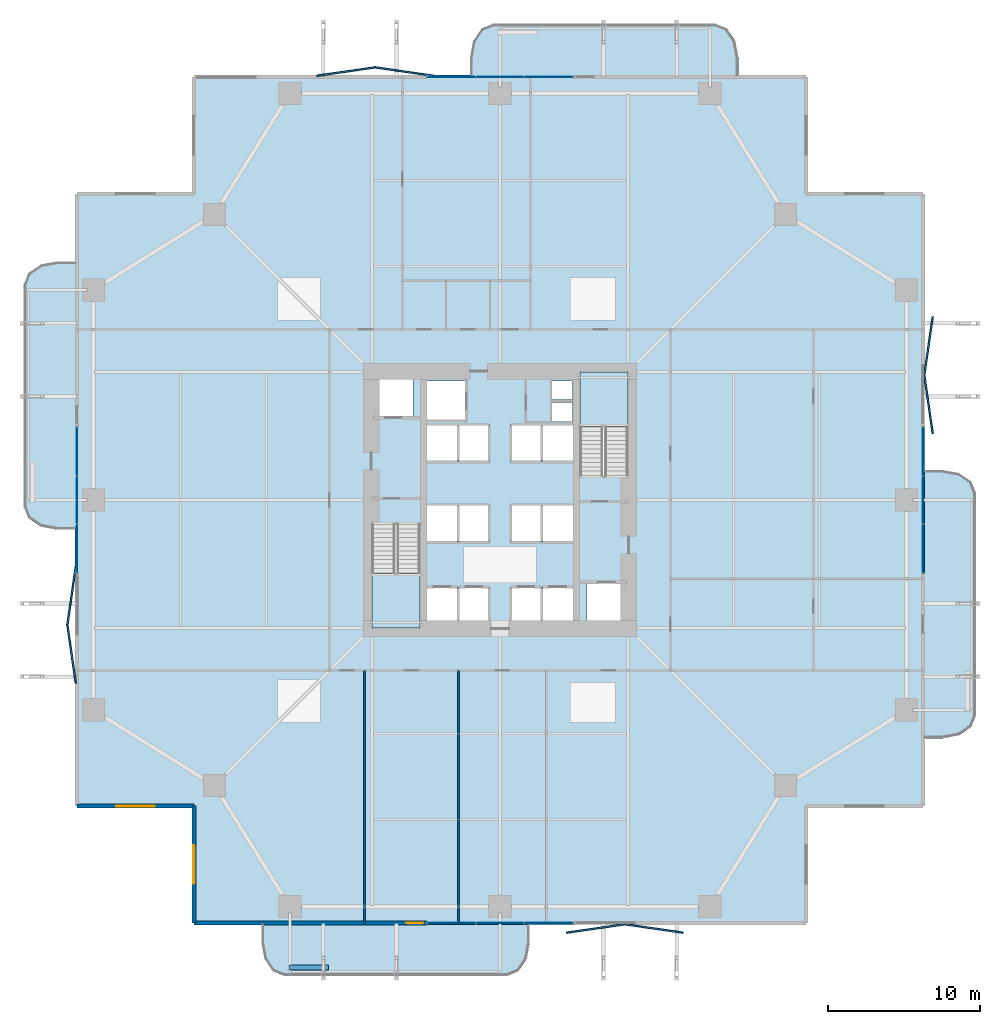
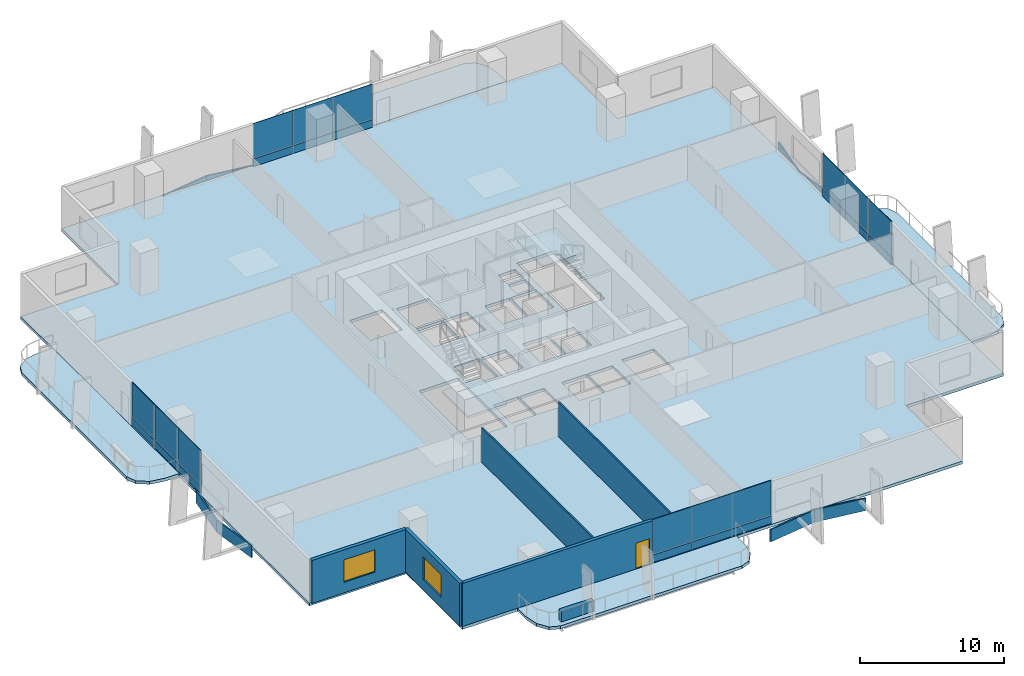
# One storey, part 16 of 23: 32 plates, 7 slabs, 6 walls, 2 windows, 1 door, 3 openings, 6 elements without a shape of their own.
"""IFC4 building model written with IfcOpenShell, lengths in metres."""

import ifcopenshell
import ifcopenshell.guid

model = None  # the IFC model being written
_history = None  # IfcOwnerHistory: only IFC2X3 demands one
_inside = {}  # id of a spatial element -> (the spatial element, [elements in it])
_under = {}  # id of a project, library or spatial element -> (it, [spatial elements below it])
_declared = {}  # id of a project -> (the project, [libraries it declares])
_typed = {}  # id of a type object -> (the type object, [elements of that type])
_made_of = {}  # id of a material, layer set ... -> (it, [elements and type objects made of it])


def new_model(schema):
    """Start an empty IFC model of exactly this schema.

    Asked for "IFC4X3", IfcOpenShell would pick the latest addendum, in which some entities
    have other attributes; the version numbers below select the first issue.
    IFC2X3 requires an IfcOwnerHistory on every rooted entity: one is made here for all.
    """
    global model, _history
    if schema == "IFC4X3":
        model = ifcopenshell.file(schema_version=(4, 3, 0, 0))
    else:
        model = ifcopenshell.file(schema=schema)
    _inside.clear()
    _under.clear()
    _declared.clear()
    _typed.clear()
    _made_of.clear()
    _history = None
    if model.schema == "IFC2X3":
        org = make("IfcOrganization", Name="unknown")
        user = make(
            "IfcPersonAndOrganization",
            ThePerson=make("IfcPerson", FamilyName="unknown"),
            TheOrganization=org,
        )
        app = make(
            "IfcApplication",
            ApplicationDeveloper=org,
            Version="unknown",
            ApplicationFullName="unknown",
            ApplicationIdentifier="unknown",
        )
        _history = make(
            "IfcOwnerHistory",
            OwningUser=user,
            OwningApplication=app,
            ChangeAction="ADDED",
            CreationDate=0,
        )
    return model


def make(cls, **values):
    """One entity of the class cls with the attributes given. An attribute that is None is left unset."""
    return model.create_entity(
        cls, **{name: value for name, value in values.items() if value is not None}
    )


def rooted(cls, **values):
    """An entity with a GlobalId (a new one), such as an element, a storey or a relation."""
    return make(cls, GlobalId=ifcopenshell.guid.new(), OwnerHistory=_history, **values)


def si_unit(unit_type, name, prefix=None):
    """IfcSIUnit, for example si_unit("LENGTHUNIT", "METRE", prefix="MILLI")."""
    return make("IfcSIUnit", UnitType=unit_type, Prefix=prefix, Name=name)


def assignment(units):
    """IfcUnitAssignment: the units of a project."""
    return None if units is None else make("IfcUnitAssignment", Units=units)


def point(xyz):
    """IfcCartesianPoint."""
    return None if xyz is None else make("IfcCartesianPoint", Coordinates=xyz)


def direction(xyz):
    """IfcDirection."""
    return None if xyz is None else make("IfcDirection", DirectionRatios=xyz)


def frame(location, z_axis=None, x_axis=None):
    """IfcAxis2Placement3D, a coordinate frame: its origin and axes. An axis left out is left unset."""
    return make(
        "IfcAxis2Placement3D",
        Location=point(location),
        Axis=direction(z_axis),
        RefDirection=direction(x_axis),
    )


def frame_2d(location, x_axis=None):
    """IfcAxis2Placement2D, a coordinate frame in the plane: its origin and x axis."""
    return make(
        "IfcAxis2Placement2D", Location=point(location), RefDirection=direction(x_axis)
    )


def origin():
    """The frame at (0, 0, 0) with its axes left unset."""
    return frame((0.0, 0.0, 0.0))


def origin_2d():
    """The frame at (0, 0) in the plane with its x axis left unset."""
    return frame_2d((0.0, 0.0))


def place(relative_to, where):
    """IfcLocalPlacement: puts the frame where relative to a parent placement (None: the world)."""
    return make(
        "IfcLocalPlacement", PlacementRelTo=relative_to, RelativePlacement=where
    )


def context(
    kind, dimensions, precision=None, world=None, true_north=None, identifier=None
):
    """IfcGeometricRepresentationContext, for example the 3D "Model" context."""
    return make(
        "IfcGeometricRepresentationContext",
        ContextIdentifier=identifier,
        ContextType=kind,
        CoordinateSpaceDimension=dimensions,
        Precision=precision,
        WorldCoordinateSystem=world,
        TrueNorth=true_north,
    )


def subcontext(parent, identifier, kind, view, scale=None):
    """IfcGeometricRepresentationSubContext, for example "Body" below "Model"."""
    return make(
        "IfcGeometricRepresentationSubContext",
        ContextIdentifier=identifier,
        ContextType=kind,
        ParentContext=parent,
        TargetScale=scale,
        TargetView=view,
    )


def project(units=None, contexts=None):
    """IfcProject with its units and contexts."""
    return rooted(
        "IfcProject",
        Name="project",
        RepresentationContexts=contexts,
        UnitsInContext=assignment(units),
    )


def spatial(cls, under=None, at=None, **own):
    """A site, building, storey or space (cls), placed at a placement, below another one or the project."""
    s = rooted(cls, ObjectPlacement=at, **own)
    if under is not None:
        _under.setdefault(under.id(), (under, []))[1].append(s)
    return s


def polyline(points):
    """IfcPolyline through the points."""
    return make("IfcPolyline", Points=[point(p) for p in points])


def profile(cls, at=None, kind="AREA", **sizes):
    """A parametric profile (cls). Its sizes go by their IFC names, for example OverallWidth=200.0."""
    return make(cls, ProfileType=kind, Position=at, **sizes)


def rectangle(**sizes):
    """IfcRectangleProfileDef."""
    return profile("IfcRectangleProfileDef", **sizes)


def outline(outer, holes=None, kind="AREA"):
    """IfcArbitraryClosedProfileDef: a profile drawn as a closed curve; with holes, ...WithVoids."""
    if holes is None:
        return make("IfcArbitraryClosedProfileDef", ProfileType=kind, OuterCurve=outer)
    return make(
        "IfcArbitraryProfileDefWithVoids",
        ProfileType=kind,
        OuterCurve=outer,
        InnerCurves=holes,
    )


def extrude(swept, where, along, depth):
    """IfcExtrudedAreaSolid: the profile swept, set in the frame where, extruded along a direction by depth."""
    return make(
        "IfcExtrudedAreaSolid",
        SweptArea=swept,
        Position=where,
        ExtrudedDirection=direction(along),
        Depth=depth,
    )


def shape(context_of_items, identifier, shape_type, items):
    """IfcShapeRepresentation: the items that make up one representation, for example the "Body"."""
    return make(
        "IfcShapeRepresentation",
        ContextOfItems=context_of_items,
        RepresentationIdentifier=identifier,
        RepresentationType=shape_type,
        Items=items,
    )


def material(Name=None, Category=None):
    """IfcMaterial."""
    return make("IfcMaterial", Name=Name, Category=Category)


def layer(
    of_material, thickness, ventilated=None, Name=None, Category=None, Priority=None
):
    """IfcMaterialLayer: one layer of a wall or slab, of a material (None: an air gap)."""
    return make(
        "IfcMaterialLayer",
        Material=of_material,
        LayerThickness=thickness,
        IsVentilated=ventilated,
        Name=Name,
        Category=Category,
        Priority=Priority,
    )


def layer_set(layers, Name=None):
    """IfcMaterialLayerSet."""
    return make("IfcMaterialLayerSet", MaterialLayers=layers, LayerSetName=Name)


def made_of(thing, what):
    """Note that an element or type object is made of a material, layer set ...; save() writes the relation."""
    if what is not None:
        _made_of.setdefault(what.id(), (what, []))[1].append(thing)
    return thing


def type_object(cls, material=None, **own):
    """A type object (cls), such as IfcWallType, which elements share."""
    return made_of(rooted(cls, **own), material)


def element(
    cls,
    number,
    at=None,
    inside=None,
    cuts=None,
    type_object=None,
    material=None,
    context=None,
    identifier="Body",
    shape_type=None,
    held_by="IfcProductDefinitionShape",
    body=None,
    shapes=None,
    **own,
):
    """One element of the class cls, such as IfcWall. Its Tag is "e" and its number.

    at: its placement. inside: the storey or other place that contains it. cuts: it is an
    opening in that element (IfcRelVoidsElement). A single representation is given by context,
    identifier, shape_type and body (its items); several are given by shapes. held_by: the class
    of the entity that holds the representations. save() writes the other relations.
    """
    e = rooted(cls, Tag="e%d" % number, ObjectPlacement=at, **own)
    if body is not None:
        shapes = [shape(context, identifier, shape_type, body)]
    if shapes is not None:
        e.Representation = make(held_by, Representations=shapes)
    if inside is not None:
        _inside.setdefault(inside.id(), (inside, []))[1].append(e)
    if cuts is not None:
        rooted(
            "IfcRelVoidsElement", RelatingBuildingElement=cuts, RelatedOpeningElement=e
        )
    if type_object is not None:
        _typed.setdefault(type_object.id(), (type_object, []))[1].append(e)
    return made_of(e, material)


def fill(opening, filler):
    """IfcRelFillsElement: the door or window that sits in an opening."""
    return rooted(
        "IfcRelFillsElement",
        RelatingOpeningElement=opening,
        RelatedBuildingElement=filler,
    )


def aggregate(whole, parts):
    """IfcRelAggregates: a whole, such as a stair, and the parts it consists of."""
    return rooted("IfcRelAggregates", RelatingObject=whole, RelatedObjects=parts)


def save(model, path):
    """Write the relations noted so far, then the file.

    IfcRelAggregates (storeys below a building ...), IfcRelContainedInSpatialStructure (elements
    in a storey), IfcRelDefinesByType, IfcRelAssociatesMaterial and IfcRelDeclares: one each for
    every whole, place, type object, material and project.
    """
    for whole, parts in _under.values():
        aggregate(whole, parts)
    for where, things in _inside.values():
        rooted(
            "IfcRelContainedInSpatialStructure",
            RelatedElements=things,
            RelatingStructure=where,
        )
    for kind, things in _typed.values():
        rooted("IfcRelDefinesByType", RelatedObjects=things, RelatingType=kind)
    for what, things in _made_of.values():
        rooted("IfcRelAssociatesMaterial", RelatedObjects=things, RelatingMaterial=what)
    for by, libraries in _declared.values():
        rooted("IfcRelDeclares", RelatingContext=by, RelatedDefinitions=libraries)
    model.write(path)


model = new_model("IFC4")

# Units and contexts
model_context = context("Model", 3, precision=1e-05, world=origin(), true_north=direction((0.0, 1.0)))
body_context = subcontext(model_context, "Body", "Model", "MODEL_VIEW")
ifc_project = project(units=[si_unit("LENGTHUNIT", "METRE"), si_unit("AREAUNIT", "SQUARE_METRE"), si_unit("VOLUMEUNIT", "CUBIC_METRE"), si_unit("PLANEANGLEUNIT", "RADIAN"), si_unit("MASSUNIT", "GRAM", prefix="KILO")], contexts=[model_context])

# Site, building, storey
site_placement = place(None, origin())
site = spatial("IfcSite", under=ifc_project, at=site_placement, CompositionType="ELEMENT")
building_placement = place(site_placement, origin())
building = spatial("IfcBuilding", under=site, at=building_placement, Name="Belovzor Exchange Tower", CompositionType="ELEMENT")
storey_placement = place(building_placement, frame((0.0, 0.0, 41.699951171875)))
storey = spatial("IfcBuildingStorey", under=building, at=storey_placement, Name="L09", CompositionType="ELEMENT", Elevation=41.699951171875)

# Slab
ifc_material_1 = material(Name="Concrete C40/50", Category="concrete")
ifc_layer_1 = layer(ifc_material_1, 0.25)
ifc_layer_set_1 = layer_set([ifc_layer_1], Name="Concrete C40/50")
slab_type_1 = type_object("IfcSlabType", Name="Composite Concrete Floor Deck Slab 250", PredefinedType="FLOOR", material=ifc_layer_set_1)
slab_1_placement = place(storey_placement, frame((0.0, 0.0, -0.25)))
element("IfcSlab", 1, at=slab_1_placement, inside=storey, type_object=slab_type_1, Name="SL-F250 Structural Slab L09", PredefinedType="FLOOR", context=body_context, shape_type="SweptSolid", body=[
    extrude(outline(polyline([(8.699951171875, 0.89990234375), (48.89990234375, 0.89990234375), (48.89990234375, 8.699951171875), (56.699951171875, 8.699951171875), (56.699951171875, 48.89990234375), (48.89990234375, 48.89990234375), (48.89990234375, 56.699951171875), (8.699951171875, 56.699951171875), (8.699951171875, 48.89990234375), (0.89990234375, 48.89990234375), (0.89990234375, 8.699951171875), (8.699951171875, 8.699951171875), (8.699951171875, 0.89990234375)]), holes=[polyline([(20.39990234375, 27.175048828125), (20.39990234375, 20.39990234375), (23.550048828125, 20.39990234375), (23.550048828125, 27.175048828125), (20.39990234375, 27.175048828125)]), polyline([(37.199951171875, 30.425048828125), (37.199951171875, 37.199951171875), (34.050048828125, 37.199951171875), (34.050048828125, 30.425048828125), (37.199951171875, 30.425048828125)]), polyline([(20.5, 34.199951171875), (23.10009765625, 34.199951171875), (23.10009765625, 37.0), (20.5, 37.0), (20.5, 34.199951171875)]), polyline([(34.5, 20.60009765625), (37.10009765625, 20.60009765625), (37.10009765625, 23.39990234375), (34.5, 23.39990234375), (34.5, 20.60009765625)]), polyline([(24.0, 34.0), (26.60009765625, 34.0), (26.60009765625, 36.60009765625), (24.0, 36.60009765625), (24.0, 34.0)]), polyline([(24.0, 20.60009765625), (26.0, 20.60009765625), (26.0, 23.10009765625), (24.0, 23.10009765625), (24.0, 20.60009765625)]), polyline([(26.10009765625, 20.60009765625), (28.10009765625, 20.60009765625), (28.10009765625, 23.10009765625), (26.10009765625, 23.10009765625), (26.10009765625, 20.60009765625)]), polyline([(29.5, 20.60009765625), (31.5, 20.60009765625), (31.5, 23.10009765625), (29.5, 23.10009765625), (29.5, 20.60009765625)]), polyline([(31.60009765625, 20.60009765625), (33.60009765625, 20.60009765625), (33.60009765625, 23.10009765625), (31.60009765625, 23.10009765625), (31.60009765625, 20.60009765625)]), polyline([(24.0, 26.0), (26.0, 26.0), (26.0, 28.5), (24.0, 28.5), (24.0, 26.0)]), polyline([(26.10009765625, 26.0), (28.10009765625, 26.0), (28.10009765625, 28.5), (26.10009765625, 28.5), (26.10009765625, 26.0)]), polyline([(29.5, 26.0), (31.5, 26.0), (31.5, 28.5), (29.5, 28.5), (29.5, 26.0)]), polyline([(31.60009765625, 26.0), (33.60009765625, 26.0), (33.60009765625, 28.5), (31.60009765625, 28.5), (31.60009765625, 26.0)]), polyline([(24.0, 31.300048828125), (26.0, 31.300048828125), (26.0, 33.800048828125), (24.0, 33.800048828125), (24.0, 31.300048828125)]), polyline([(26.10009765625, 31.300048828125), (28.10009765625, 31.300048828125), (28.10009765625, 33.800048828125), (26.10009765625, 33.800048828125), (26.10009765625, 31.300048828125)]), polyline([(29.5, 31.300048828125), (31.5, 31.300048828125), (31.5, 33.800048828125), (29.5, 33.800048828125), (29.5, 31.300048828125)]), polyline([(31.60009765625, 31.300048828125), (33.60009765625, 31.300048828125), (33.60009765625, 33.800048828125), (31.60009765625, 33.800048828125), (31.60009765625, 31.300048828125)]), polyline([(32.199951171875, 34.0), (33.550048828125, 34.0), (33.550048828125, 35.199951171875), (32.199951171875, 35.199951171875), (32.199951171875, 34.0)]), polyline([(32.199951171875, 35.39990234375), (33.550048828125, 35.39990234375), (33.550048828125, 36.60009765625), (32.199951171875, 36.60009765625), (32.199951171875, 35.39990234375)])]), origin(), (0.0, 0.0, 1.0), 0.25),
])

# Plates
ifc_material_2 = material(Name="Extruded Architectural Terracotta", Category="masonry")
ifc_layer_2 = layer(ifc_material_2, 0.1201171875)
ifc_layer_set_2 = layer_set([ifc_layer_2], Name="Extruded Architectural Terracotta")
plate_type_1 = type_object("IfcPlateType", Name="Folded Zigzag Terracotta Spandrel Louvre 80", PredefinedType="USERDEFINED", material=ifc_layer_set_2)
for number, where, z_axis, x_axis, name in (
    (2, (18.699951171875, 56.93505859375, -1.03515625), (0.0, 0.0, 1.0), (0.989686419138, 0.143250800258, 0.0), "LVR-ZZ1 Zigzag Terracotta Spandrel Louvre L09 N1A"),
    (3, (22.5, 56.93505859375, -1.03515625), (0.0, 0.0, 1.0), (0.989686419138, -0.143250800258, 0.0), "LVR-ZZ1 Zigzag Terracotta Spandrel Louvre L09 N1B"),
    (4, (0.6650390625, 18.699951171875, -1.03515625), (0.0, 0.0, 1.0), (-0.143250800258, 0.989686419138, 0.0), "LVR-ZZ1 Zigzag Terracotta Spandrel Louvre L09 W1A"),
    (5, (0.6650390625, 22.5, -1.03515625), (0.0, 0.0, 1.0), (0.143250800258, 0.989686419138, 0.0), "LVR-ZZ1 Zigzag Terracotta Spandrel Louvre L09 W1B"),
    (6, (35.10009765625, 0.6650390625, -1.03515625), (0.0, 0.0, 1.0), (0.989686419138, 0.143250800258, 0.0), "LVR-ZZ1 Zigzag Terracotta Spandrel Louvre L09 S2A"),
    (7, (38.89990234375, 0.6650390625, -1.03515625), (0.0, 0.0, 1.0), (0.989686419138, -0.143250800258, 0.0), "LVR-ZZ1 Zigzag Terracotta Spandrel Louvre L09 S2B"),
    (8, (56.93505859375, 35.10009765625, -1.03515625), (0.0, 0.0, 1.0), (-0.143250800258, 0.989686419138, 0.0), "LVR-ZZ1 Zigzag Terracotta Spandrel Louvre L09 E2A"),
    (9, (56.93505859375, 38.89990234375, -1.03515625), (0.0, 0.0, 1.0), (0.143250800258, 0.989686419138, 0.0), "LVR-ZZ1 Zigzag Terracotta Spandrel Louvre L09 E2B"),
):
    element("IfcPlate", number, at=place(storey_placement, frame(where, z_axis=z_axis, x_axis=x_axis)), inside=storey, type_object=plate_type_1, Name=name, ObjectType="SPANDREL_LOUVRE", PredefinedType="USERDEFINED", context=body_context, shape_type="SweptSolid", body=[
        extrude(rectangle(XDim=3.919921875, YDim=0.1201171875, at=origin_2d()), origin(), (0.0, 0.0, 1.0), 1.050048828125),
    ])

# Curtain wall, plates
ifc_material_3 = material(Name="Anodised Aluminium Framing", Category="aluminium")
ifc_layer_3 = layer(ifc_material_3, 0.179931640625)
ifc_layer_set_3 = layer_set([ifc_layer_3], Name="Anodised Aluminium Framing")
curtain_wall_type = type_object("IfcCurtainWallType", Name="Recessed Loggia Low-Iron Triple-Glazed Curtain Wall", PredefinedType="NOTDEFINED", material=ifc_layer_set_3)
curtain_wall_1_placement = place(storey_placement, origin())
curtain_wall_1 = element("IfcCurtainWall", 10, at=curtain_wall_1_placement, inside=storey, type_object=curtain_wall_type, Name="CW3 Recessed Loggia Low-Iron Triple-Glazed Curtain Wall L09", PredefinedType="NOTDEFINED")
ifc_material_4 = material(Name="Solar-Control Triple Glazing", Category="glass")
ifc_layer_4 = layer(ifc_material_4, 0.0439453125)
ifc_layer_set_4 = layer_set([ifc_layer_4], Name="Solar-Control Triple Glazing")
plate_type_2 = type_object("IfcPlateType", Name="Insulated Solar Glazing Curtain Panel 44", PredefinedType="CURTAIN_PANEL", material=ifc_layer_set_4)
plate_1_placement = place(storey_placement, frame((32.0, 1.030029296875, 0.652099609375), z_axis=(0.0, 0.0, 1.0), x_axis=(-1.0, 0.0, 0.0)))
plate_1 = element("IfcPlate", 11, at=plate_1_placement, type_object=plate_type_2, Name="GLZ-44 Glazed Curtain Panel 1", PredefinedType="CURTAIN_PANEL", context=body_context, shape_type="SweptSolid", body=[
    extrude(rectangle(XDim=3.18408203125, YDim=0.0439453125, at=origin_2d()), origin(), (0.0, 0.0, 1.0), 2.998046875),
])
plate_2_placement = place(storey_placement, frame((28.800048828125, 1.030029296875, 0.652099609375), z_axis=(0.0, 0.0, 1.0), x_axis=(-1.0, 0.0, 0.0)))
plate_2 = element("IfcPlate", 12, at=plate_2_placement, type_object=plate_type_2, Name="GLZ-44 Glazed Curtain Panel 2", PredefinedType="CURTAIN_PANEL", context=body_context, shape_type="SweptSolid", body=[
    extrude(rectangle(XDim=3.18408203125, YDim=0.0439453125, at=origin_2d()), origin(), (0.0, 0.0, 1.0), 2.998046875),
])
plate_3_placement = place(storey_placement, frame((25.60009765625, 1.030029296875, 0.652099609375), z_axis=(0.0, 0.0, 1.0), x_axis=(-1.0, 0.0, 0.0)))
plate_3 = element("IfcPlate", 13, at=plate_3_placement, type_object=plate_type_2, Name="GLZ-44 Glazed Curtain Panel 3", PredefinedType="CURTAIN_PANEL", context=body_context, shape_type="SweptSolid", body=[
    extrude(rectangle(XDim=3.18408203125, YDim=0.0439453125, at=origin_2d()), origin(), (0.0, 0.0, 1.0), 2.998046875),
])

curtain_wall_2_placement = place(storey_placement, origin())
curtain_wall_2 = element("IfcCurtainWall", 14, at=curtain_wall_2_placement, inside=storey, type_object=curtain_wall_type, Name="CW3 Recessed Loggia Low-Iron Triple-Glazed Curtain Wall L09", PredefinedType="NOTDEFINED")
plate_4_placement = place(storey_placement, frame((25.60009765625, 56.570068359375, 0.652099609375), z_axis=(0.0, 0.0, 1.0), x_axis=(1.0, 0.0, 0.0)))
plate_4 = element("IfcPlate", 15, at=plate_4_placement, type_object=plate_type_2, Name="GLZ-44 Glazed Curtain Panel 1", PredefinedType="CURTAIN_PANEL", context=body_context, shape_type="SweptSolid", body=[
    extrude(rectangle(XDim=3.18408203125, YDim=0.0439453125, at=origin_2d()), origin(), (0.0, 0.0, 1.0), 2.998046875),
])
plate_5_placement = place(storey_placement, frame((28.800048828125, 56.570068359375, 0.652099609375), z_axis=(0.0, 0.0, 1.0), x_axis=(1.0, 0.0, 0.0)))
plate_5 = element("IfcPlate", 16, at=plate_5_placement, type_object=plate_type_2, Name="GLZ-44 Glazed Curtain Panel 2", PredefinedType="CURTAIN_PANEL", context=body_context, shape_type="SweptSolid", body=[
    extrude(rectangle(XDim=3.18408203125, YDim=0.0439453125, at=origin_2d()), origin(), (0.0, 0.0, 1.0), 2.998046875),
])
plate_6_placement = place(storey_placement, frame((32.0, 56.570068359375, 0.652099609375), z_axis=(0.0, 0.0, 1.0), x_axis=(1.0, 0.0, 0.0)))
plate_6 = element("IfcPlate", 17, at=plate_6_placement, type_object=plate_type_2, Name="GLZ-44 Glazed Curtain Panel 3", PredefinedType="CURTAIN_PANEL", context=body_context, shape_type="SweptSolid", body=[
    extrude(rectangle(XDim=3.18408203125, YDim=0.0439453125, at=origin_2d()), origin(), (0.0, 0.0, 1.0), 2.998046875),
])

curtain_wall_3_placement = place(storey_placement, origin())
curtain_wall_3 = element("IfcCurtainWall", 18, at=curtain_wall_3_placement, inside=storey, type_object=curtain_wall_type, Name="CW3 Recessed Loggia Low-Iron Triple-Glazed Curtain Wall L09", PredefinedType="NOTDEFINED")
plate_7_placement = place(storey_placement, frame((1.030029296875, 25.60009765625, 0.652099609375), z_axis=(0.0, 0.0, 1.0), x_axis=(0.0, 1.0, 0.0)))
plate_7 = element("IfcPlate", 19, at=plate_7_placement, type_object=plate_type_2, Name="GLZ-44 Glazed Curtain Panel 1", PredefinedType="CURTAIN_PANEL", context=body_context, shape_type="SweptSolid", body=[
    extrude(rectangle(XDim=3.18408203125, YDim=0.0439453125, at=origin_2d()), origin(), (0.0, 0.0, 1.0), 2.998046875),
])
plate_8_placement = place(storey_placement, frame((1.030029296875, 28.800048828125, 0.652099609375), z_axis=(0.0, 0.0, 1.0), x_axis=(0.0, 1.0, 0.0)))
plate_8 = element("IfcPlate", 20, at=plate_8_placement, type_object=plate_type_2, Name="GLZ-44 Glazed Curtain Panel 2", PredefinedType="CURTAIN_PANEL", context=body_context, shape_type="SweptSolid", body=[
    extrude(rectangle(XDim=3.18408203125, YDim=0.0439453125, at=origin_2d()), origin(), (0.0, 0.0, 1.0), 2.998046875),
])
plate_9_placement = place(storey_placement, frame((1.030029296875, 32.0, 0.652099609375), z_axis=(0.0, 0.0, 1.0), x_axis=(0.0, 1.0, 0.0)))
plate_9 = element("IfcPlate", 21, at=plate_9_placement, type_object=plate_type_2, Name="GLZ-44 Glazed Curtain Panel 3", PredefinedType="CURTAIN_PANEL", context=body_context, shape_type="SweptSolid", body=[
    extrude(rectangle(XDim=3.18408203125, YDim=0.0439453125, at=origin_2d()), origin(), (0.0, 0.0, 1.0), 2.998046875),
])

curtain_wall_4_placement = place(storey_placement, origin())
curtain_wall_4 = element("IfcCurtainWall", 22, at=curtain_wall_4_placement, inside=storey, type_object=curtain_wall_type, Name="CW3 Recessed Loggia Low-Iron Triple-Glazed Curtain Wall L09", PredefinedType="NOTDEFINED")
plate_10_placement = place(storey_placement, frame((56.570068359375, 32.0, 0.652099609375), z_axis=(0.0, 0.0, 1.0), x_axis=(0.0, -1.0, 0.0)))
plate_10 = element("IfcPlate", 23, at=plate_10_placement, type_object=plate_type_2, Name="GLZ-44 Glazed Curtain Panel 1", PredefinedType="CURTAIN_PANEL", context=body_context, shape_type="SweptSolid", body=[
    extrude(rectangle(XDim=3.18408203125, YDim=0.0439453125, at=origin_2d()), origin(), (0.0, 0.0, 1.0), 2.998046875),
])
plate_11_placement = place(storey_placement, frame((56.570068359375, 28.800048828125, 0.652099609375), z_axis=(0.0, 0.0, 1.0), x_axis=(0.0, -1.0, 0.0)))
plate_11 = element("IfcPlate", 24, at=plate_11_placement, type_object=plate_type_2, Name="GLZ-44 Glazed Curtain Panel 2", PredefinedType="CURTAIN_PANEL", context=body_context, shape_type="SweptSolid", body=[
    extrude(rectangle(XDim=3.18408203125, YDim=0.0439453125, at=origin_2d()), origin(), (0.0, 0.0, 1.0), 2.998046875),
])
plate_12_placement = place(storey_placement, frame((56.570068359375, 25.60009765625, 0.652099609375), z_axis=(0.0, 0.0, 1.0), x_axis=(0.0, -1.0, 0.0)))
plate_12 = element("IfcPlate", 25, at=plate_12_placement, type_object=plate_type_2, Name="GLZ-44 Glazed Curtain Panel 3", PredefinedType="CURTAIN_PANEL", context=body_context, shape_type="SweptSolid", body=[
    extrude(rectangle(XDim=3.18408203125, YDim=0.0439453125, at=origin_2d()), origin(), (0.0, 0.0, 1.0), 2.998046875),
])

# Stair, slab
ifc_material_5 = material(Name="Concrete C40/50", Category="concrete")
stair_type = type_object("IfcStairType", Name="Reinforced Concrete Dogleg Escape Stair 1350", PredefinedType="HALF_TURN_STAIR", material=ifc_material_5)
stair_1_placement = place(storey_placement, origin())
stair_1 = element("IfcStair", 26, at=stair_1_placement, inside=storey, type_object=stair_type, Name="L09 ST-1", PredefinedType="HALF_TURN_STAIR")
ifc_material_6 = material(Name="Concrete C40/50", Category="concrete")
ifc_layer_5 = layer(ifc_material_6, 0.199951171875)
ifc_layer_set_5 = layer_set([ifc_layer_5], Name="Concrete C40/50")
slab_type_2 = type_object("IfcSlabType", Name="Reinforced Concrete Stair Half-Landing Slab 200", PredefinedType="LANDING", material=ifc_layer_set_5)
slab_2_placement = place(storey_placement, frame((0.0, 0.0, 1.75)))
slab_2 = element("IfcSlab", 27, at=slab_2_placement, type_object=slab_type_2, Name="ST-1 landing 1", PredefinedType="LANDING", context=body_context, shape_type="SweptSolid", body=[
    extrude(outline(polyline([(20.39990234375, 24.010009765625), (20.39990234375, 20.39990234375), (23.550048828125, 20.39990234375), (23.550048828125, 24.010009765625), (20.39990234375, 24.010009765625)])), origin(), (0.0, 0.0, 1.0), 0.199951171875),
])
aggregate(stair_1, [slab_2])

stair_2_placement = place(storey_placement, origin())
stair_2 = element("IfcStair", 28, at=stair_2_placement, inside=storey, type_object=stair_type, Name="L09 ST-2", PredefinedType="HALF_TURN_STAIR")
slab_3_placement = place(storey_placement, frame((0.0, 0.0, 1.75)))
slab_3 = element("IfcSlab", 29, at=slab_3_placement, type_object=slab_type_2, Name="ST-2 landing 1", PredefinedType="LANDING", context=body_context, shape_type="SweptSolid", body=[
    extrude(outline(polyline([(37.199951171875, 33.590087890625), (37.199951171875, 37.199951171875), (34.050048828125, 37.199951171875), (34.050048828125, 33.590087890625), (37.199951171875, 33.590087890625)])), origin(), (0.0, 0.0, 1.0), 0.199951171875),
])
aggregate(stair_2, [slab_3])

# Plate
ifc_material_7 = material(Name="Extruded Architectural Terracotta", Category="masonry")
ifc_layer_6 = layer(ifc_material_7, 0.090087890625)
ifc_layer_set_6 = layer_set([ifc_layer_6], Name="Extruded Architectural Terracotta")
plate_type_3 = type_object("IfcPlateType", Name="Terracotta Shadow-Box Spandrel Panel 90", PredefinedType="CURTAIN_PANEL", material=ifc_layer_set_6)
plate_13_placement = place(storey_placement, frame((32.0, 1.030029296875, 0.0), z_axis=(0.0, 0.0, 1.0), x_axis=(-1.0, 0.0, 0.0)))
plate_13 = element("IfcPlate", 30, at=plate_13_placement, type_object=plate_type_3, Name="SPD-90 Spandrel Panel 1", PredefinedType="CURTAIN_PANEL", context=body_context, shape_type="SweptSolid", body=[
    extrude(rectangle(XDim=3.18408203125, YDim=0.090087890625, at=origin_2d()), origin(), (0.0, 0.0, 1.0), 0.64794921875),
])

plate_14_placement = place(storey_placement, frame((28.800048828125, 1.030029296875, 0.0), z_axis=(0.0, 0.0, 1.0), x_axis=(-1.0, 0.0, 0.0)))
plate_14 = element("IfcPlate", 31, at=plate_14_placement, type_object=plate_type_3, Name="SPD-90 Spandrel Panel 2", PredefinedType="CURTAIN_PANEL", context=body_context, shape_type="SweptSolid", body=[
    extrude(rectangle(XDim=3.18408203125, YDim=0.090087890625, at=origin_2d()), origin(), (0.0, 0.0, 1.0), 0.64794921875),
])

plate_15_placement = place(storey_placement, frame((25.60009765625, 1.030029296875, 0.0), z_axis=(0.0, 0.0, 1.0), x_axis=(-1.0, 0.0, 0.0)))
plate_15 = element("IfcPlate", 32, at=plate_15_placement, type_object=plate_type_3, Name="SPD-90 Spandrel Panel 3", PredefinedType="CURTAIN_PANEL", context=body_context, shape_type="SweptSolid", body=[
    extrude(rectangle(XDim=3.18408203125, YDim=0.090087890625, at=origin_2d()), origin(), (0.0, 0.0, 1.0), 0.64794921875),
])

aggregate(curtain_wall_1, [plate_13, plate_1, plate_14, plate_2, plate_15, plate_3])

plate_16_placement = place(storey_placement, frame((25.60009765625, 56.570068359375, 0.0), z_axis=(0.0, 0.0, 1.0), x_axis=(1.0, 0.0, 0.0)))
plate_16 = element("IfcPlate", 33, at=plate_16_placement, type_object=plate_type_3, Name="SPD-90 Spandrel Panel 1", PredefinedType="CURTAIN_PANEL", context=body_context, shape_type="SweptSolid", body=[
    extrude(rectangle(XDim=3.18408203125, YDim=0.090087890625, at=origin_2d()), origin(), (0.0, 0.0, 1.0), 0.64794921875),
])

plate_17_placement = place(storey_placement, frame((28.800048828125, 56.570068359375, 0.0), z_axis=(0.0, 0.0, 1.0), x_axis=(1.0, 0.0, 0.0)))
plate_17 = element("IfcPlate", 34, at=plate_17_placement, type_object=plate_type_3, Name="SPD-90 Spandrel Panel 2", PredefinedType="CURTAIN_PANEL", context=body_context, shape_type="SweptSolid", body=[
    extrude(rectangle(XDim=3.18408203125, YDim=0.090087890625, at=origin_2d()), origin(), (0.0, 0.0, 1.0), 0.64794921875),
])

plate_18_placement = place(storey_placement, frame((32.0, 56.570068359375, 0.0), z_axis=(0.0, 0.0, 1.0), x_axis=(1.0, 0.0, 0.0)))
plate_18 = element("IfcPlate", 35, at=plate_18_placement, type_object=plate_type_3, Name="SPD-90 Spandrel Panel 3", PredefinedType="CURTAIN_PANEL", context=body_context, shape_type="SweptSolid", body=[
    extrude(rectangle(XDim=3.18408203125, YDim=0.090087890625, at=origin_2d()), origin(), (0.0, 0.0, 1.0), 0.64794921875),
])

aggregate(curtain_wall_2, [plate_16, plate_4, plate_17, plate_5, plate_18, plate_6])

plate_19_placement = place(storey_placement, frame((1.030029296875, 25.60009765625, 0.0), z_axis=(0.0, 0.0, 1.0), x_axis=(0.0, 1.0, 0.0)))
plate_19 = element("IfcPlate", 36, at=plate_19_placement, type_object=plate_type_3, Name="SPD-90 Spandrel Panel 1", PredefinedType="CURTAIN_PANEL", context=body_context, shape_type="SweptSolid", body=[
    extrude(rectangle(XDim=3.18408203125, YDim=0.090087890625, at=origin_2d()), origin(), (0.0, 0.0, 1.0), 0.64794921875),
])

plate_20_placement = place(storey_placement, frame((1.030029296875, 28.800048828125, 0.0), z_axis=(0.0, 0.0, 1.0), x_axis=(0.0, 1.0, 0.0)))
plate_20 = element("IfcPlate", 37, at=plate_20_placement, type_object=plate_type_3, Name="SPD-90 Spandrel Panel 2", PredefinedType="CURTAIN_PANEL", context=body_context, shape_type="SweptSolid", body=[
    extrude(rectangle(XDim=3.18408203125, YDim=0.090087890625, at=origin_2d()), origin(), (0.0, 0.0, 1.0), 0.64794921875),
])

plate_21_placement = place(storey_placement, frame((1.030029296875, 32.0, 0.0), z_axis=(0.0, 0.0, 1.0), x_axis=(0.0, 1.0, 0.0)))
plate_21 = element("IfcPlate", 38, at=plate_21_placement, type_object=plate_type_3, Name="SPD-90 Spandrel Panel 3", PredefinedType="CURTAIN_PANEL", context=body_context, shape_type="SweptSolid", body=[
    extrude(rectangle(XDim=3.18408203125, YDim=0.090087890625, at=origin_2d()), origin(), (0.0, 0.0, 1.0), 0.64794921875),
])

aggregate(curtain_wall_3, [plate_19, plate_7, plate_20, plate_8, plate_21, plate_9])

plate_22_placement = place(storey_placement, frame((56.570068359375, 32.0, 0.0), z_axis=(0.0, 0.0, 1.0), x_axis=(0.0, -1.0, 0.0)))
plate_22 = element("IfcPlate", 39, at=plate_22_placement, type_object=plate_type_3, Name="SPD-90 Spandrel Panel 1", PredefinedType="CURTAIN_PANEL", context=body_context, shape_type="SweptSolid", body=[
    extrude(rectangle(XDim=3.18408203125, YDim=0.090087890625, at=origin_2d()), origin(), (0.0, 0.0, 1.0), 0.64794921875),
])

plate_23_placement = place(storey_placement, frame((56.570068359375, 28.800048828125, 0.0), z_axis=(0.0, 0.0, 1.0), x_axis=(0.0, -1.0, 0.0)))
plate_23 = element("IfcPlate", 40, at=plate_23_placement, type_object=plate_type_3, Name="SPD-90 Spandrel Panel 2", PredefinedType="CURTAIN_PANEL", context=body_context, shape_type="SweptSolid", body=[
    extrude(rectangle(XDim=3.18408203125, YDim=0.090087890625, at=origin_2d()), origin(), (0.0, 0.0, 1.0), 0.64794921875),
])

plate_24_placement = place(storey_placement, frame((56.570068359375, 25.60009765625, 0.0), z_axis=(0.0, 0.0, 1.0), x_axis=(0.0, -1.0, 0.0)))
plate_24 = element("IfcPlate", 41, at=plate_24_placement, type_object=plate_type_3, Name="SPD-90 Spandrel Panel 3", PredefinedType="CURTAIN_PANEL", context=body_context, shape_type="SweptSolid", body=[
    extrude(rectangle(XDim=3.18408203125, YDim=0.090087890625, at=origin_2d()), origin(), (0.0, 0.0, 1.0), 0.64794921875),
])

aggregate(curtain_wall_4, [plate_22, plate_10, plate_23, plate_11, plate_24, plate_12])

# Slabs
ifc_material_8 = material(Name="Concrete C40/50", Category="concrete")
ifc_layer_7 = layer(ifc_material_8, 0.25)
ifc_layer_set_7 = layer_set([ifc_layer_7], Name="Concrete C40/50")
slab_type_3 = type_object("IfcSlabType", Name="Thermally Broken Planted Balcony Slab 250", PredefinedType="FLOOR", material=ifc_layer_set_7)
slab_4_placement = place(storey_placement, frame((0.0, 0.0, -0.25)))
element("IfcSlab", 42, at=slab_4_placement, inside=storey, type_object=slab_type_3, Name="SL-BAL220 Planted Balcony Loggia L09 South", PredefinedType="FLOOR", context=body_context, shape_type="SweptSolid", body=[
    extrude(outline(polyline([(13.14990234375, 0.9150390625), (13.14990234375, -0.25), (13.35107421875, -1.35009765625), (13.89990234375, -2.155029296875), (14.64990234375, -2.449951171875), (29.25, -2.449951171875), (30.0, -2.155029296875), (30.549072265625, -1.35009765625), (30.75, -0.25), (30.75, 0.9150390625), (13.14990234375, 0.9150390625)])), origin(), (0.0, 0.0, 1.0), 0.25),
])
slab_5_placement = place(storey_placement, frame((0.0, 0.0, -0.25)))
element("IfcSlab", 43, at=slab_5_placement, inside=storey, type_object=slab_type_3, Name="SL-BAL220 Planted Balcony Loggia L09 North", PredefinedType="FLOOR", context=body_context, shape_type="SweptSolid", body=[
    extrude(outline(polyline([(44.449951171875, 56.68505859375), (44.449951171875, 57.85009765625), (44.2490234375, 58.949951171875), (43.699951171875, 59.7548828125), (42.949951171875, 60.050048828125), (28.35009765625, 60.050048828125), (27.60009765625, 59.7548828125), (27.051025390625, 58.949951171875), (26.85009765625, 57.85009765625), (26.85009765625, 56.68505859375), (44.449951171875, 56.68505859375)])), origin(), (0.0, 0.0, 1.0), 0.25),
])
slab_6_placement = place(storey_placement, frame((0.0, 0.0, -0.25)))
element("IfcSlab", 44, at=slab_6_placement, inside=storey, type_object=slab_type_3, Name="SL-BAL220 Planted Balcony Loggia L09 East", PredefinedType="FLOOR", context=body_context, shape_type="SweptSolid", body=[
    extrude(outline(polyline([(56.68505859375, 13.14990234375), (57.85009765625, 13.14990234375), (58.949951171875, 13.35107421875), (59.7548828125, 13.89990234375), (60.050048828125, 14.64990234375), (60.050048828125, 29.25), (59.7548828125, 30.0), (58.949951171875, 30.549072265625), (57.85009765625, 30.75), (56.68505859375, 30.75), (56.68505859375, 13.14990234375)])), origin(), (0.0, 0.0, 1.0), 0.25),
])
slab_7_placement = place(storey_placement, frame((0.0, 0.0, -0.25)))
element("IfcSlab", 45, at=slab_7_placement, inside=storey, type_object=slab_type_3, Name="SL-BAL220 Planted Balcony Loggia L09 West", PredefinedType="FLOOR", context=body_context, shape_type="SweptSolid", body=[
    extrude(outline(polyline([(0.9150390625, 44.449951171875), (-0.25, 44.449951171875), (-1.35009765625, 44.2490234375), (-2.155029296875, 43.699951171875), (-2.449951171875, 42.949951171875), (-2.449951171875, 28.35009765625), (-2.155029296875, 27.60009765625), (-1.35009765625, 27.051025390625), (-0.25, 26.85009765625), (0.9150390625, 26.85009765625), (0.9150390625, 44.449951171875)])), origin(), (0.0, 0.0, 1.0), 0.25),
])

# Walls
ifc_material_9 = material(Name="Acoustic Plasterboard on Galvanised Studs", Category="gypsum")
ifc_layer_8 = layer(ifc_material_9, 0.1201171875)
ifc_layer_set_8 = layer_set([ifc_layer_8], Name="Acoustic Plasterboard on Galvanised Studs")
wall_type_1 = type_object("IfcWallType", Name="Acoustic Double-Stud Partition Wall 120", PredefinedType="PARTITIONING", material=ifc_layer_set_8)
for number, where, z_axis, x_axis, name in (
    (46, (19.89990234375, 1.030029296875, 0.0), (0.0, 0.0, 1.0), (0.0, 1.0, 0.0), "W-P120 Partition Wall W-L09-SDIV-1"),
    (47, (26.080078125, 1.030029296875, 0.0), (0.0, 0.0, 1.0), (0.0, 1.0, 0.0), "W-P120 Partition Wall W-L09-SDIV-2"),
):
    element("IfcWall", number, at=place(storey_placement, frame(where, z_axis=z_axis, x_axis=x_axis)), inside=storey, type_object=wall_type_1, Name=name, PredefinedType="PARTITIONING", context=body_context, shape_type="SweptSolid", body=[
        extrude(rectangle(XDim=16.570068359375, YDim=0.1201171875, at=frame_2d((8.28515625, 0.0))), origin(), (0.0, 0.0, 1.0), 2.93505859375),
    ])

# Wall, opening, window
ifc_material_10 = material(Name="Precast concrete C40/50", Category="concrete")
ifc_layer_9 = layer(ifc_material_10, 0.280029296875)
ifc_layer_set_9 = layer_set([ifc_layer_9], Name="Precast concrete C40/50")
wall_type_2 = type_object("IfcWallType", Name="Precast Concrete Notched Corner Frame Wall 280", PredefinedType="SOLIDWALL", material=ifc_layer_set_9)
wall_1_placement = place(storey_placement, frame((8.699951171875, 1.030029296875, 0.0), z_axis=(0.0, 0.0, 1.0), x_axis=(0.0, 1.0, 0.0)))
wall_1 = element("IfcWall", 48, at=wall_1_placement, inside=storey, type_object=wall_type_2, Name="W-CRN280 Precast Concrete Notched Corner Frame Wall 280 L09", PredefinedType="SOLIDWALL", context=body_context, shape_type="SweptSolid", body=[
    extrude(rectangle(XDim=7.669921875, YDim=0.280029296875, at=frame_2d((3.8349609375, 0.0))), origin(), (0.0, 0.0, 1.0), 3.650146484375),
])
opening_1_placement = place(wall_1_placement, frame((2.5849609375, 0.0, 0.89990234375)))
opening_1 = element("IfcOpeningElement", 49, at=opening_1_placement, cuts=wall_1, Name="Opening WN-CRN250", PredefinedType="OPENING", context=body_context, shape_type="SweptSolid", body=[
    extrude(rectangle(XDim=2.5, YDim=1.89990234375, at=frame_2d((1.25, 0.949951171875))), frame((0.0, 0.14990234375, 0.0), z_axis=(0.0, -1.0, 0.0), x_axis=(1.0, 0.0, 0.0)), (0.0, 0.0, 1.0), 0.300048828125),
])
ifc_material_11 = material(Name="Thermally Broken Aluminium and Triple Glazing", Category="aluminium")
window_type = type_object("IfcWindowType", Name="Streamline Moderne Corner Wrap Ribbon Window 2500x1900", PartitioningType="SINGLE_PANEL", PredefinedType="WINDOW", material=ifc_material_11)
window_1_placement = place(opening_1_placement, origin())
window_1 = element("IfcWindow", 50, at=window_1_placement, inside=storey, type_object=window_type, Name="WN-CRN250 Streamline Moderne Corner Wrap Ribbon Window 2500x1900", OverallHeight=1.89990234375, OverallWidth=2.5, PartitioningType="SINGLE_PANEL", PredefinedType="WINDOW", context=body_context, shape_type="SweptSolid", body=[
    extrude(rectangle(XDim=2.5, YDim=1.89990234375, at=frame_2d((1.25, 0.949951171875))), frame((0.0, 0.030029296875, 0.0), z_axis=(0.0, -1.0, 0.0), x_axis=(1.0, 0.0, 0.0)), (0.0, 0.0, 1.0), 0.06005859375),
])
fill(opening_1, window_1)

wall_2_placement = place(storey_placement, frame((8.699951171875, 8.699951171875, 0.0), z_axis=(0.0, 0.0, 1.0), x_axis=(-1.0, 0.0, 0.0)))
wall_2 = element("IfcWall", 51, at=wall_2_placement, inside=storey, type_object=wall_type_2, Name="W-CRN280 Precast Concrete Notched Corner Frame Wall 280 L09", PredefinedType="SOLIDWALL", context=body_context, shape_type="SweptSolid", body=[
    extrude(rectangle(XDim=7.669921875, YDim=0.280029296875, at=frame_2d((3.8349609375, 0.0))), origin(), (0.0, 0.0, 1.0), 3.650146484375),
])
opening_2_placement = place(wall_2_placement, frame((2.5849609375, 0.0, 0.89990234375)))
opening_2 = element("IfcOpeningElement", 52, at=opening_2_placement, cuts=wall_2, Name="Opening WN-CRN250", PredefinedType="OPENING", context=body_context, shape_type="SweptSolid", body=[
    extrude(rectangle(XDim=2.5, YDim=1.89990234375, at=frame_2d((1.25, 0.949951171875))), frame((0.0, 0.14990234375, 0.0), z_axis=(0.0, -1.0, 0.0), x_axis=(1.0, 0.0, 0.0)), (0.0, 0.0, 1.0), 0.300048828125),
])
window_2_placement = place(opening_2_placement, origin())
window_2 = element("IfcWindow", 53, at=window_2_placement, inside=storey, type_object=window_type, Name="WN-CRN250 Streamline Moderne Corner Wrap Ribbon Window 2500x1900", OverallHeight=1.89990234375, OverallWidth=2.5, PartitioningType="SINGLE_PANEL", PredefinedType="WINDOW", context=body_context, shape_type="SweptSolid", body=[
    extrude(rectangle(XDim=2.5, YDim=1.89990234375, at=frame_2d((1.25, 0.949951171875))), frame((0.0, 0.030029296875, 0.0), z_axis=(0.0, -1.0, 0.0), x_axis=(1.0, 0.0, 0.0)), (0.0, 0.0, 1.0), 0.06005859375),
])
fill(opening_2, window_2)

# Wall, opening, door
ifc_material_12 = material(Name="Precast concrete C40/50", Category="concrete")
ifc_layer_10 = layer(ifc_material_12, 0.260009765625)
ifc_layer_set_10 = layer_set([ifc_layer_10], Name="Precast concrete C40/50")
wall_type_3 = type_object("IfcWallType", Name="Precast Concrete Perimeter Loggia Frame Wall 260", PredefinedType="SOLIDWALL", material=ifc_layer_set_10)
wall_3_placement = place(storey_placement, frame((24.0, 1.030029296875, 0.0), z_axis=(0.0, 0.0, 1.0), x_axis=(-1.0, 0.0, 0.0)))
wall_3 = element("IfcWall", 54, at=wall_3_placement, inside=storey, type_object=wall_type_3, Name="W-EXT260 Precast Concrete Perimeter Loggia Frame Wall 260 L09", PredefinedType="SOLIDWALL", context=body_context, shape_type="SweptSolid", body=[
    extrude(rectangle(XDim=15.300048828125, YDim=0.260009765625, at=frame_2d((7.64990234375, 0.0))), origin(), (0.0, 0.0, 1.0), 3.650146484375),
])
opening_3_placement = place(wall_3_placement, frame((0.25, 0.0, 0.0)))
opening_3 = element("IfcOpeningElement", 55, at=opening_3_placement, cuts=wall_3, Name="Opening D-BAL110", PredefinedType="OPENING", context=body_context, shape_type="SweptSolid", body=[
    extrude(rectangle(XDim=1.10009765625, YDim=2.199951171875, at=frame_2d((0.550048828125, 1.10009765625))), frame((0.0, 0.139892578125, 0.0), z_axis=(0.0, -1.0, 0.0), x_axis=(1.0, 0.0, 0.0)), (0.0, 0.0, 1.0), 0.280029296875),
])
ifc_material_13 = material(Name="Thermally Broken Anodised Aluminium and Laminated Glass", Category="aluminium")
door_type = type_object("IfcDoorType", Name="Planted Loggia Terrace Glazed Door 1100x2200", OperationType="SINGLE_SWING_LEFT", PredefinedType="DOOR", material=ifc_material_13)
door_placement = place(opening_3_placement, origin())
door = element("IfcDoor", 56, at=door_placement, inside=storey, type_object=door_type, Name="D-BAL110 Balcony Terrace Door L09 S", OperationType="SINGLE_SWING_LEFT", OverallHeight=2.199951171875, OverallWidth=1.10009765625, PredefinedType="DOOR", context=body_context, shape_type="SweptSolid", body=[
    extrude(rectangle(XDim=1.10009765625, YDim=2.199951171875, at=frame_2d((0.550048828125, 1.10009765625))), frame((0.0, 0.02490234375, 0.0), z_axis=(0.0, -1.0, 0.0), x_axis=(1.0, 0.0, 0.0)), (0.0, 0.0, 1.0), 0.050048828125),
])
fill(opening_3, door)

# Wall
ifc_material_14 = material(Name="Precast concrete C40/50", Category="concrete")
ifc_layer_11 = layer(ifc_material_14, 0.35009765625)
ifc_layer_set_11 = layer_set([ifc_layer_11], Name="Precast concrete C40/50")
wall_type_4 = type_object("IfcWallType", Name="Precast Concrete Structural Tree Planter Trough 350", PredefinedType="PARAPET", material=ifc_layer_set_11)
wall_4_placement = place(storey_placement, frame((14.949951171875, -1.89990234375, 0.0), z_axis=(0.0, 0.0, 1.0), x_axis=(1.0, 0.0, 0.0)))
element("IfcWall", 57, at=wall_4_placement, inside=storey, type_object=wall_type_4, Name="PT-350 Precast Concrete Structural Tree Planter Trough 350 L09", PredefinedType="PARAPET", context=body_context, shape_type="SweptSolid", body=[
    extrude(rectangle(XDim=2.60009765625, YDim=0.35009765625, at=frame_2d((1.300048828125, 0.0))), origin(), (0.0, 0.0, 1.0), 0.900146484375),
])

save(model, "model.ifc")
